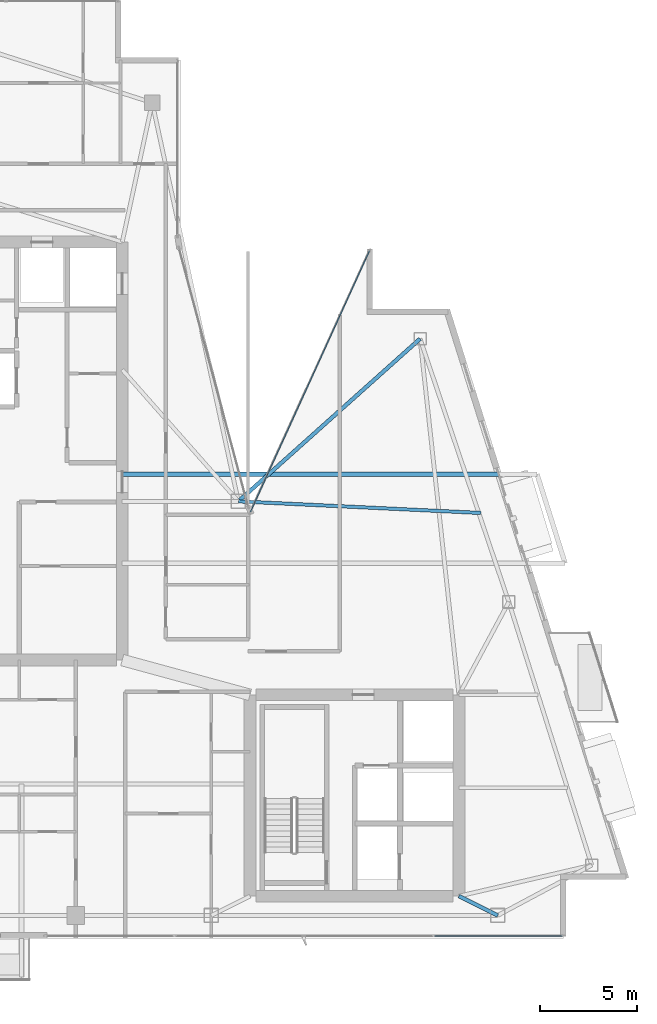
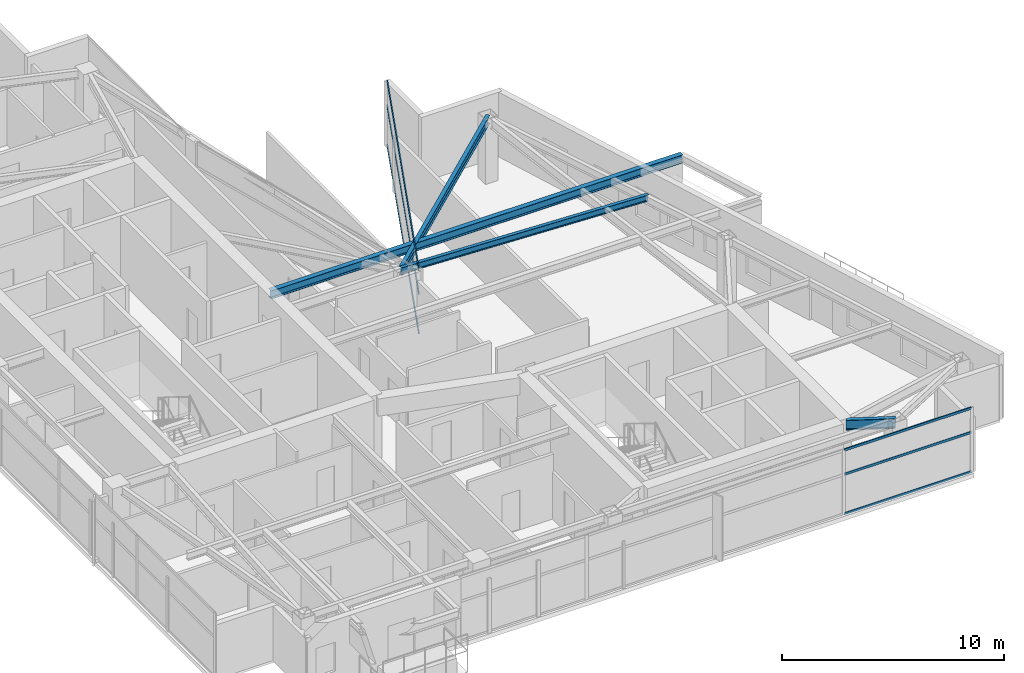
# One storey, part 13 of 27: 6 members, 4 beams, 2 elements without a shape of their own.
"""IFC4 building model written with IfcOpenShell, lengths in metres."""

from ifc_helpers import new_model, si_unit, direction, frame, origin, origin_2d, place, context, subcontext, project, spatial, hollow_rectangle, i_section, extrude, material, layer, layer_set, material_profile, profile_set, type_object, element, aggregate, save


model = new_model("IFC4")

# Units and contexts
model_context = context("Model", 3, precision=1e-05, world=origin(), true_north=direction((0.0, 1.0)))
body_context = subcontext(model_context, "Body", "Model", "MODEL_VIEW")
ifc_project = project(units=[si_unit("LENGTHUNIT", "METRE"), si_unit("AREAUNIT", "SQUARE_METRE"), si_unit("VOLUMEUNIT", "CUBIC_METRE"), si_unit("PLANEANGLEUNIT", "RADIAN"), si_unit("MASSUNIT", "GRAM", prefix="KILO")], contexts=[model_context])

# Site, building, storey
site_placement = place(None, origin())
site = spatial("IfcSite", under=ifc_project, at=site_placement, CompositionType="ELEMENT")
building_placement = place(site_placement, origin())
building = spatial("IfcBuilding", under=site, at=building_placement, Name="Calvorn Quay Hotel", CompositionType="ELEMENT")
storey_placement = place(building_placement, frame((0.0, 0.0, 298.699951171875)))
storey = spatial("IfcBuildingStorey", under=building, at=storey_placement, Name="L74", CompositionType="ELEMENT", Elevation=298.699951171875)

# Beams
ifc_material_1 = material(Name="Steel Q355B", Category="steel")
ifc_material_profile_1 = material_profile(ifc_material_1, i_section(OverallWidth=0.25, OverallDepth=0.449951171875, WebThickness=0.011962890625, FlangeThickness=0.01611328125, FilletRadius=0.01611328125, at=origin_2d()), Name="HN450x250x12x16")
ifc_profile_set_1 = profile_set([ifc_material_profile_1], Name="Steel Q355B")
beam_type_1 = type_object("IfcBeamType", Name="BM-CANT-BALC", PredefinedType="BEAM", material=ifc_profile_set_1)
beam_1_placement = place(storey_placement, frame((15.0, 26.39990234375, 3.31494140625), z_axis=(1.0, 0.0, 0.0), x_axis=(0.0, 1.0, 0.0)))
element("IfcBeam", 1, at=beam_1_placement, inside=storey, type_object=beam_type_1, Name="Cantilever Balcony Beam BCB-L75-1B", PredefinedType="BEAM", context=body_context, shape_type="SweptSolid", body=[
    extrude(i_section(OverallWidth=0.25, OverallDepth=0.449951171875, WebThickness=0.011962890625, FlangeThickness=0.01611328125, FilletRadius=0.01611328125, at=origin_2d()), origin(), (0.0, 0.0, 1.0), 21.43701171875),
])
ifc_material_2 = material(Name="Steel Q355B", Category="steel")
ifc_material_profile_2 = material_profile(ifc_material_2, i_section(OverallWidth=0.199951171875, OverallDepth=0.550048828125, WebThickness=0.010009765625, FlangeThickness=0.01611328125, FilletRadius=0.01806640625, at=origin_2d()), Name="HN550x200x10x16")
ifc_profile_set_2 = profile_set([ifc_material_profile_2], Name="Steel Q355B")
beam_type_2 = type_object("IfcBeamType", Name="BM-GIRD-UPP", PredefinedType="BEAM", material=ifc_profile_set_2)
beam_2_placement = place(storey_placement, frame((34.39990234375, 3.60009765625, 3.26513671875), z_axis=(-0.894427191, 0.4472135955, 0.0), x_axis=(-0.4472135955, -0.894427191, 0.0)))
element("IfcBeam", 2, at=beam_2_placement, inside=storey, type_object=beam_type_2, Name="Beam BG-L74-S3", PredefinedType="BEAM", context=body_context, shape_type="SweptSolid", body=[
    extrude(i_section(OverallWidth=0.199951171875, OverallDepth=0.550048828125, WebThickness=0.010009765625, FlangeThickness=0.01611328125, FilletRadius=0.01806640625, at=origin_2d()), origin(), (0.0, 0.0, 1.0), 2.236083984375),
])
ifc_material_3 = material(Name="Steel Q355B", Category="steel")
ifc_material_profile_3 = material_profile(ifc_material_3, i_section(OverallWidth=0.175048828125, OverallDepth=0.35009765625, WebThickness=0.007080078125, FlangeThickness=0.010986328125, FilletRadius=0.013916015625, at=origin_2d()), Name="HN350x175x7x11")
ifc_profile_set_3 = profile_set([ifc_material_profile_3], Name="Steel Q355B")
beam_type_3 = type_object("IfcBeamType", Name="BM-JOIST-SEC", PredefinedType="JOIST", material=ifc_profile_set_3)
beam_3_placement = place(storey_placement, frame((21.0, 25.0, 3.364990234375), z_axis=(0.998854576396, -0.047849087891, 0.0), x_axis=(0.047849087891, 0.998854576396, 0.0)))
element("IfcBeam", 3, at=beam_3_placement, inside=storey, type_object=beam_type_3, Name="Beam BJ-L74-E3", PredefinedType="JOIST", context=body_context, shape_type="SweptSolid", body=[
    extrude(i_section(OverallWidth=0.175048828125, OverallDepth=0.35009765625, WebThickness=0.007080078125, FlangeThickness=0.010986328125, FilletRadius=0.013916015625, at=origin_2d()), origin(), (0.0, 0.0, 1.0), 12.54150390625),
])
ifc_material_4 = material(Name="Steel Q355B", Category="steel")
ifc_material_profile_4 = material_profile(ifc_material_4, i_section(OverallWidth=0.199951171875, OverallDepth=0.449951171875, WebThickness=0.009033203125, FlangeThickness=0.013916015625, FilletRadius=0.01611328125, at=origin_2d()), Name="HN450x200x9x14")
ifc_profile_set_4 = profile_set([ifc_material_profile_4], Name="Steel Q355B")
beam_type_4 = type_object("IfcBeamType", Name="BM-SPANDREL-Z3", PredefinedType="SPANDREL", material=ifc_profile_set_4)
beam_4_placement = place(storey_placement, frame((30.39111328125, 33.39990234375, 3.31494140625), z_axis=(-0.745346713825, -0.666677040396, 0.0), x_axis=(0.666677040396, -0.745346713825, 0.0)))
element("IfcBeam", 4, at=beam_4_placement, inside=storey, type_object=beam_type_4, Name="Beam BSP-L74-E3", PredefinedType="SPANDREL", context=body_context, shape_type="SweptSolid", body=[
    extrude(i_section(OverallWidth=0.199951171875, OverallDepth=0.449951171875, WebThickness=0.009033203125, FlangeThickness=0.013916015625, FilletRadius=0.01611328125, at=origin_2d()), origin(), (0.0, 0.0, 1.0), 12.599609375),
])

# Curtain wall, members
ifc_material_5 = material(Name="Champagne Bronze Anodised Aluminium and Low-E Glass", Category="aluminium")
ifc_layer = layer(ifc_material_5, 0.219970703125)
ifc_layer_set = layer_set([ifc_layer], Name="CW-SYS-Z4")
curtain_wall_type = type_object("IfcCurtainWallType", Name="CW-SYS-Z4", PredefinedType="NOTDEFINED", material=ifc_layer_set)
curtain_wall_1_placement = place(storey_placement, origin())
curtain_wall_1 = element("IfcCurtainWall", 5, at=curtain_wall_1_placement, inside=storey, type_object=curtain_wall_type, Name="Tower South Waterfront Curtain Wall (L74)", PredefinedType="NOTDEFINED")
ifc_material_6 = material(Name="Champagne Bronze Anodised Aluminium 6063-T6", Category="aluminium")
ifc_material_profile_5 = material_profile(ifc_material_6, hollow_rectangle(XDim=0.054931640625, YDim=0.1298828125, WallThickness=0.003173828125, at=origin_2d()), Name="ALU-T130x55x3.2")
ifc_profile_set_5 = profile_set([ifc_material_profile_5], Name="Champagne Bronze Anodised Aluminium 6063-T6")
member_type = type_object("IfcMemberType", Name="CW-SYS-Z4-TRN", PredefinedType="USERDEFINED", material=ifc_profile_set_5)
member_1_placement = place(storey_placement, frame((31.1298828125, 2.550048828125, 0.030029296875), z_axis=(1.0, 0.0, 0.0), x_axis=(0.0, 1.0, 0.0)))
member_1 = element("IfcMember", 6, at=member_1_placement, type_object=member_type, Name="CW-L74-S transom 4.1", ObjectType="TRANSOM", PredefinedType="USERDEFINED", context=body_context, shape_type="SweptSolid", body=[
    extrude(hollow_rectangle(XDim=0.054931640625, YDim=0.1298828125, WallThickness=0.003173828125, at=origin_2d()), origin(), (0.0, 0.0, 1.0), 6.610107421875),
])
member_2_placement = place(storey_placement, frame((31.1298828125, 2.550048828125, 2.199951171875), z_axis=(1.0, 0.0, 0.0), x_axis=(0.0, 1.0, 0.0)))
member_2 = element("IfcMember", 7, at=member_2_placement, type_object=member_type, Name="CW-L74-S transom 4.2", ObjectType="TRANSOM", PredefinedType="USERDEFINED", context=body_context, shape_type="SweptSolid", body=[
    extrude(hollow_rectangle(XDim=0.054931640625, YDim=0.1298828125, WallThickness=0.003173828125, at=origin_2d()), origin(), (0.0, 0.0, 1.0), 6.610107421875),
])
member_3_placement = place(storey_placement, frame((31.1298828125, 2.550048828125, 3.530029296875), z_axis=(1.0, 0.0, 0.0), x_axis=(0.0, 1.0, 0.0)))
member_3 = element("IfcMember", 8, at=member_3_placement, type_object=member_type, Name="CW-L74-S transom 4.3", ObjectType="TRANSOM", PredefinedType="USERDEFINED", context=body_context, shape_type="SweptSolid", body=[
    extrude(hollow_rectangle(XDim=0.054931640625, YDim=0.1298828125, WallThickness=0.003173828125, at=origin_2d()), origin(), (0.0, 0.0, 1.0), 6.610107421875),
])
aggregate(curtain_wall_1, [member_1, member_2, member_3])

curtain_wall_2_placement = place(storey_placement, origin())
curtain_wall_2 = element("IfcCurtainWall", 9, at=curtain_wall_2_placement, inside=storey, type_object=curtain_wall_type, Name="Inner Court Curtain Wall L74-NE1", PredefinedType="NOTDEFINED")
member_4_placement = place(storey_placement, frame((27.775146484375, 37.9453125, 0.030029296875), z_axis=(-0.414808842845, -0.909908579967, 0.0), x_axis=(0.909908579967, -0.414808842845, 0.0)))
member_4 = element("IfcMember", 10, at=member_4_placement, type_object=member_type, Name="CW-L74-NE1 transom 1.1", ObjectType="TRANSOM", PredefinedType="USERDEFINED", context=body_context, shape_type="SweptSolid", body=[
    extrude(hollow_rectangle(XDim=0.054931640625, YDim=0.1298828125, WallThickness=0.003173828125, at=origin_2d()), origin(), (0.0, 0.0, 1.0), 14.826416015625),
])
member_5_placement = place(storey_placement, frame((27.775146484375, 37.9453125, 2.199951171875), z_axis=(-0.414808842845, -0.909908579967, 0.0), x_axis=(0.909908579967, -0.414808842845, 0.0)))
member_5 = element("IfcMember", 11, at=member_5_placement, type_object=member_type, Name="CW-L74-NE1 transom 1.2", ObjectType="TRANSOM", PredefinedType="USERDEFINED", context=body_context, shape_type="SweptSolid", body=[
    extrude(hollow_rectangle(XDim=0.054931640625, YDim=0.1298828125, WallThickness=0.003173828125, at=origin_2d()), origin(), (0.0, 0.0, 1.0), 14.826416015625),
])
member_6_placement = place(storey_placement, frame((27.775146484375, 37.9453125, 3.530029296875), z_axis=(-0.414808842845, -0.909908579967, 0.0), x_axis=(0.909908579967, -0.414808842845, 0.0)))
member_6 = element("IfcMember", 12, at=member_6_placement, type_object=member_type, Name="CW-L74-NE1 transom 1.3", ObjectType="TRANSOM", PredefinedType="USERDEFINED", context=body_context, shape_type="SweptSolid", body=[
    extrude(hollow_rectangle(XDim=0.054931640625, YDim=0.1298828125, WallThickness=0.003173828125, at=origin_2d()), origin(), (0.0, 0.0, 1.0), 14.826416015625),
])
aggregate(curtain_wall_2, [member_4, member_5, member_6])

save(model, "model.ifc")
